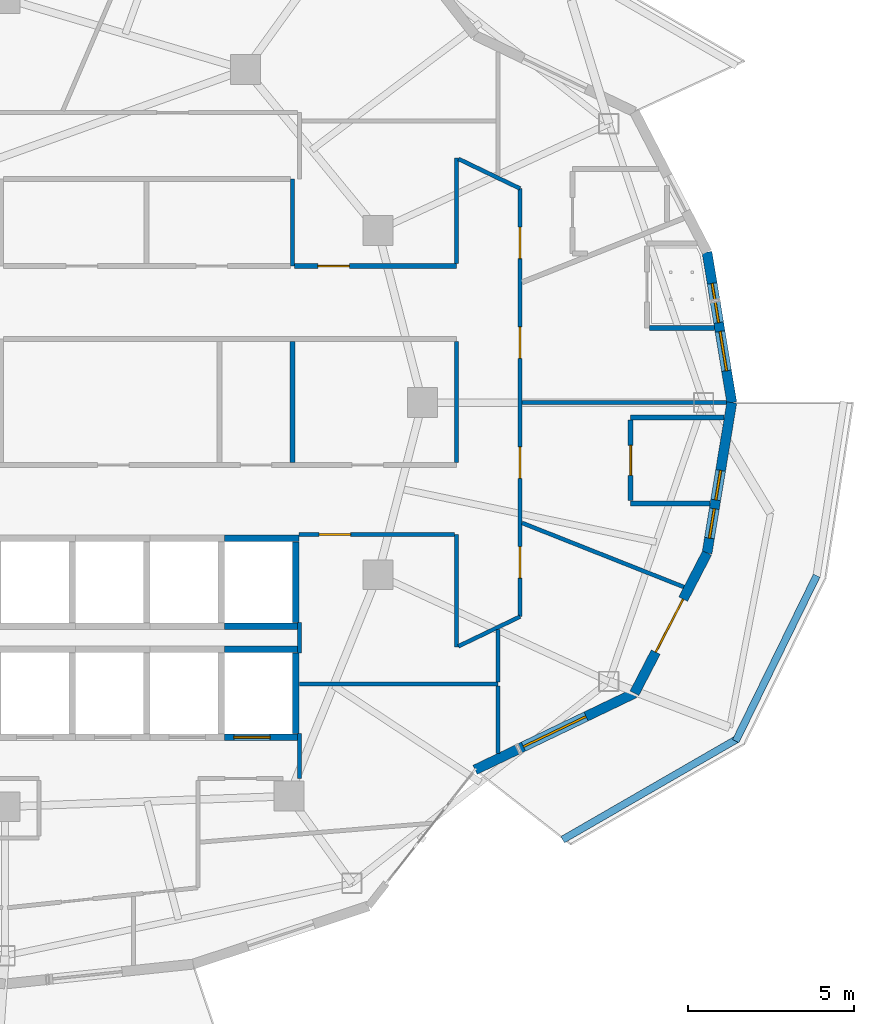
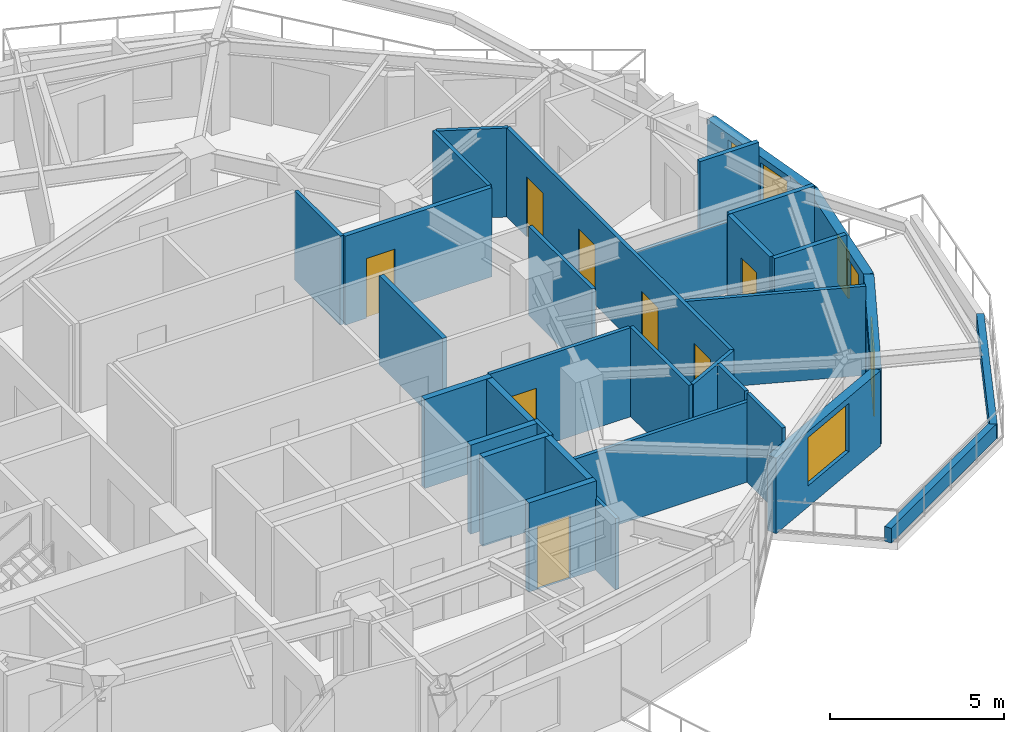
# One storey, part 11 of 19: 33 walls, 9 doors, 5 windows, 14 openings.
"""IFC4 building model written with IfcOpenShell, lengths in metres."""

from ifc_helpers import new_model, si_unit, direction, frame, frame_2d, origin, place, context, subcontext, project, spatial, rectangle, extrude, material, layer, layer_set, type_object, element, fill, save


model = new_model("IFC4")

# Units and contexts
model_context = context("Model", 3, precision=1e-05, world=origin(), true_north=direction((0.0, 1.0)))
body_context = subcontext(model_context, "Body", "Model", "MODEL_VIEW")
ifc_project = project(units=[si_unit("LENGTHUNIT", "METRE"), si_unit("AREAUNIT", "SQUARE_METRE"), si_unit("VOLUMEUNIT", "CUBIC_METRE"), si_unit("PLANEANGLEUNIT", "RADIAN"), si_unit("MASSUNIT", "GRAM", prefix="KILO")], contexts=[model_context])

# Site, building, storey
site_placement = place(None, origin())
site = spatial("IfcSite", under=ifc_project, at=site_placement, CompositionType="ELEMENT")
building_placement = place(site_placement, origin())
building = spatial("IfcBuilding", under=site, at=building_placement, Name="Kolvaren Gate Tower and Convention Centre", CompositionType="ELEMENT")
storey_placement = place(building_placement, frame((0.0, 0.0, 163.10009765625)))
storey = spatial("IfcBuildingStorey", under=building, at=storey_placement, Name="L42", CompositionType="ELEMENT", Elevation=163.10009765625)

# Walls
ifc_material_1 = material(Name="Fire-Rated Acoustic Gypsum Stud Partition", Category="gypsum")
ifc_layer_1 = layer(ifc_material_1, 0.1201171875)
ifc_layer_set_1 = layer_set([ifc_layer_1], Name="Fire-Rated Acoustic Gypsum Stud Partition")
wall_type_1 = type_object("IfcWallType", Name="ARCH-WL-PART-120", PredefinedType="PARTITIONING", material=ifc_layer_set_1)
wall_1_placement = place(storey_placement, frame((38.800048828125, 31.1201171875, 0.0), z_axis=(0.0, 0.0, 1.0), x_axis=(0.0, 1.0, 0.0)))
element("IfcWall", 1, at=wall_1_placement, inside=storey, type_object=wall_type_1, Name="Interior Partition WL-L42-INT-019", PredefinedType="PARTITIONING", context=body_context, shape_type="SweptSolid", body=[
    extrude(rectangle(XDim=2.6298828125, YDim=0.1201171875, at=frame_2d((1.31494140625, 0.0))), origin(), (0.0, 0.0, 1.0), 3.1298828125),
])
wall_2_placement = place(storey_placement, frame((39.02001953125, 15.64990234375, 0.0), z_axis=(0.0, 0.0, 1.0), x_axis=(0.0, 1.0, 0.0)))
element("IfcWall", 2, at=wall_2_placement, inside=storey, type_object=wall_type_1, Name="Interior Partition WL-L42-INT-023", PredefinedType="PARTITIONING", context=body_context, shape_type="SweptSolid", body=[
    extrude(rectangle(XDim=1.360107421875, YDim=0.1201171875, at=frame_2d((0.68017578125, 0.0))), origin(), (0.0, 0.0, 1.0), 2.5048828125),
])
wall_3_placement = place(storey_placement, frame((39.02001953125, 19.43994140625, 0.0), z_axis=(0.0, 0.0, 1.0), x_axis=(0.0, 1.0, 0.0)))
element("IfcWall", 3, at=wall_3_placement, inside=storey, type_object=wall_type_1, Name="Interior Partition WL-L42-INT-023 (2)", PredefinedType="PARTITIONING", context=body_context, shape_type="SweptSolid", body=[
    extrude(rectangle(XDim=0.920166015625, YDim=0.1201171875, at=frame_2d((0.4599609375, 0.0))), origin(), (0.0, 0.0, 1.0), 3.1298828125),
])
wall_4_placement = place(storey_placement, frame((43.75, 19.614990234375, 0.0), z_axis=(0.0, 0.0, 1.0), x_axis=(0.0, 1.0, 0.0)))
element("IfcWall", 4, at=wall_4_placement, inside=storey, type_object=wall_type_1, Name="Interior Partition WL-L42-INT-037", PredefinedType="PARTITIONING", context=body_context, shape_type="SweptSolid", body=[
    extrude(rectangle(XDim=3.405029296875, YDim=0.1201171875, at=frame_2d((1.70263671875, 0.0))), origin(), (0.0, 0.0, 1.0), 3.1298828125),
])
wall_5_placement = place(storey_placement, frame((43.75, 25.197021484375, 0.0), z_axis=(0.0, 0.0, 1.0), x_axis=(0.0, 1.0, 0.0)))
element("IfcWall", 5, at=wall_5_placement, inside=storey, type_object=wall_type_1, Name="Interior Partition WL-L42-INT-038", PredefinedType="PARTITIONING", context=body_context, shape_type="SweptSolid", body=[
    extrude(rectangle(XDim=3.64599609375, YDim=0.1201171875, at=frame_2d((1.822998046875, 0.0))), origin(), (0.0, 0.0, 1.0), 3.1298828125),
])
wall_6_placement = place(storey_placement, frame((43.75, 31.197021484375, 0.0), z_axis=(0.0, 0.0, 1.0), x_axis=(0.0, 1.0, 0.0)))
element("IfcWall", 6, at=wall_6_placement, inside=storey, type_object=wall_type_1, Name="Interior Partition WL-L42-INT-039", PredefinedType="PARTITIONING", context=body_context, shape_type="SweptSolid", body=[
    extrude(rectangle(XDim=3.18798828125, YDim=0.1201171875, at=frame_2d((1.593994140625, 0.0))), origin(), (0.0, 0.0, 1.0), 3.1298828125),
])
wall_7_placement = place(storey_placement, frame((43.81201171875, 34.355224609375, 0.0), z_axis=(0.0, 0.0, 1.0), x_axis=(0.901236415331, -0.433327732417, 0.0)))
element("IfcWall", 7, at=wall_7_placement, inside=storey, type_object=wall_type_1, Name="Interior Partition WL-L42-INT-040", PredefinedType="PARTITIONING", context=body_context, shape_type="SweptSolid", body=[
    extrude(rectangle(XDim=2.0615234375, YDim=0.1201171875, at=frame_2d((1.03076171875, 0.0))), origin(), (0.0, 0.0, 1.0), 3.1298828125),
])

# Wall, openings, doors
wall_8_placement = place(storey_placement, frame((45.669921875, 20.5380859375, 0.0), z_axis=(0.0, 0.0, 1.0), x_axis=(0.0, 1.0, 0.0)))
wall_8 = element("IfcWall", 8, at=wall_8_placement, inside=storey, type_object=wall_type_1, Name="Interior Partition WL-L42-INT-041", PredefinedType="PARTITIONING", context=body_context, shape_type="SweptSolid", body=[
    extrude(rectangle(XDim=12.923828125, YDim=0.1201171875, at=frame_2d((6.4619140625, 0.0))), origin(), (0.0, 0.0, 1.0), 3.1298828125),
])
opening_1_placement = place(wall_8_placement, frame((1.166015625, 0.0, 0.0)))
opening_1 = element("IfcOpeningElement", 9, at=opening_1_placement, cuts=wall_8, Name="Opening DR-01", PredefinedType="OPENING", context=body_context, shape_type="SweptSolid", body=[
    extrude(rectangle(XDim=0.949951171875, YDim=2.10009765625, at=frame_2d((0.47509765625, 1.050048828125))), frame((0.0, 0.070068359375, 0.0), z_axis=(0.0, -1.0, 0.0), x_axis=(1.0, 0.0, 0.0)), (0.0, 0.0, 1.0), 0.14013671875),
])
opening_2_placement = place(wall_8_placement, frame((4.173828125, 0.0, 0.0)))
opening_2 = element("IfcOpeningElement", 10, at=opening_2_placement, cuts=wall_8, Name="Opening DR-01", PredefinedType="OPENING", context=body_context, shape_type="SweptSolid", body=[
    extrude(rectangle(XDim=0.949951171875, YDim=2.10009765625, at=frame_2d((0.47509765625, 1.050048828125))), frame((0.0, 0.070068359375, 0.0), z_axis=(0.0, -1.0, 0.0), x_axis=(1.0, 0.0, 0.0)), (0.0, 0.0, 1.0), 0.14013671875),
])
opening_3_placement = place(wall_8_placement, frame((7.800048828125, 0.0, 0.0)))
opening_3 = element("IfcOpeningElement", 11, at=opening_3_placement, cuts=wall_8, Name="Opening DR-01", PredefinedType="OPENING", context=body_context, shape_type="SweptSolid", body=[
    extrude(rectangle(XDim=0.949951171875, YDim=2.10009765625, at=frame_2d((0.47509765625, 1.050048828125))), frame((0.0, 0.070068359375, 0.0), z_axis=(0.0, -1.0, 0.0), x_axis=(1.0, 0.0, 0.0)), (0.0, 0.0, 1.0), 0.14013671875),
])
opening_4_placement = place(wall_8_placement, frame((10.807861328125, 0.0, 0.0)))
opening_4 = element("IfcOpeningElement", 12, at=opening_4_placement, cuts=wall_8, Name="Opening DR-01", PredefinedType="OPENING", context=body_context, shape_type="SweptSolid", body=[
    extrude(rectangle(XDim=0.949951171875, YDim=2.10009765625, at=frame_2d((0.47509765625, 1.050048828125))), frame((0.0, 0.070068359375, 0.0), z_axis=(0.0, -1.0, 0.0), x_axis=(1.0, 0.0, 0.0)), (0.0, 0.0, 1.0), 0.14013671875),
])
ifc_material_2 = material(Name="Painted Architectural Steelwork ASTM A500 Grade C 345 MPa", Category="steel")
door_type_1 = type_object("IfcDoorType", Name="ARCH-DR-RISER-950", OperationType="SINGLE_SWING_RIGHT", PredefinedType="DOOR", material=ifc_material_2)
door_1_placement = place(opening_1_placement, origin())
door_1 = element("IfcDoor", 13, at=door_1_placement, inside=storey, type_object=door_type_1, Name="Hotel Botanical Clubroom Door", OperationType="SINGLE_SWING_LEFT", OverallHeight=2.10009765625, OverallWidth=0.949951171875, PredefinedType="DOOR", context=body_context, shape_type="SweptSolid", body=[
    extrude(rectangle(XDim=0.949951171875, YDim=2.10009765625, at=frame_2d((0.47509765625, 1.050048828125))), frame((0.0, 0.02490234375, 0.0), z_axis=(0.0, -1.0, 0.0), x_axis=(1.0, 0.0, 0.0)), (0.0, 0.0, 1.0), 0.050048828125),
])
fill(opening_1, door_1)
door_2_placement = place(opening_2_placement, origin())
door_2 = element("IfcDoor", 14, at=door_2_placement, inside=storey, type_object=door_type_1, Name="Deluxe Hotel Suite (HTL-L42-08) Door", OperationType="SINGLE_SWING_RIGHT", OverallHeight=2.10009765625, OverallWidth=0.949951171875, PredefinedType="DOOR", context=body_context, shape_type="SweptSolid", body=[
    extrude(rectangle(XDim=0.949951171875, YDim=2.10009765625, at=frame_2d((0.47509765625, 1.050048828125))), frame((0.0, 0.02490234375, 0.0), z_axis=(0.0, -1.0, 0.0), x_axis=(1.0, 0.0, 0.0)), (0.0, 0.0, 1.0), 0.050048828125),
])
fill(opening_2, door_2)
door_3_placement = place(opening_3_placement, origin())
door_3 = element("IfcDoor", 15, at=door_3_placement, inside=storey, type_object=door_type_1, Name="Deluxe Hotel Suite (HTL-L42-10) Door", OperationType="SINGLE_SWING_RIGHT", OverallHeight=2.10009765625, OverallWidth=0.949951171875, PredefinedType="DOOR", context=body_context, shape_type="SweptSolid", body=[
    extrude(rectangle(XDim=0.949951171875, YDim=2.10009765625, at=frame_2d((0.47509765625, 1.050048828125))), frame((0.0, 0.02490234375, 0.0), z_axis=(0.0, -1.0, 0.0), x_axis=(1.0, 0.0, 0.0)), (0.0, 0.0, 1.0), 0.050048828125),
])
fill(opening_3, door_3)
door_4_placement = place(opening_4_placement, origin())
door_4 = element("IfcDoor", 16, at=door_4_placement, inside=storey, type_object=door_type_1, Name="Deluxe Hotel Suite (HTL-L42-11) Door", OperationType="SINGLE_SWING_LEFT", OverallHeight=2.10009765625, OverallWidth=0.949951171875, PredefinedType="DOOR", context=body_context, shape_type="SweptSolid", body=[
    extrude(rectangle(XDim=0.949951171875, YDim=2.10009765625, at=frame_2d((0.47509765625, 1.050048828125))), frame((0.0, 0.02490234375, 0.0), z_axis=(0.0, -1.0, 0.0), x_axis=(1.0, 0.0, 0.0)), (0.0, 0.0, 1.0), 0.050048828125),
])
fill(opening_4, door_4)

# Wall
wall_9_placement = place(storey_placement, frame((43.81201171875, 19.644775390625, 0.0), z_axis=(0.0, 0.0, 1.0), x_axis=(0.901236415331, 0.433327732417, 0.0)))
element("IfcWall", 17, at=wall_9_placement, inside=storey, type_object=wall_type_1, Name="Interior Partition WL-L42-INT-042", PredefinedType="PARTITIONING", context=body_context, shape_type="SweptSolid", body=[
    extrude(rectangle(XDim=2.0615234375, YDim=0.1201171875, at=frame_2d((1.03076171875, 0.0))), origin(), (0.0, 0.0, 1.0), 3.1298828125),
])

# Wall, opening, door
wall_10_placement = place(storey_placement, frame((39.0, 23.02001953125, 0.0), z_axis=(0.0, 0.0, 1.0), x_axis=(1.0, 0.0, 0.0)))
wall_10 = element("IfcWall", 18, at=wall_10_placement, inside=storey, type_object=wall_type_1, Name="Interior Partition WL-L42-INT-043", PredefinedType="PARTITIONING", context=body_context, shape_type="SweptSolid", body=[
    extrude(rectangle(XDim=4.68798828125, YDim=0.1201171875, at=frame_2d((2.343994140625, 0.0))), origin(), (0.0, 0.0, 1.0), 3.1298828125),
])
opening_5_placement = place(wall_10_placement, frame((0.60888671875, 0.0, 0.0)))
opening_5 = element("IfcOpeningElement", 19, at=opening_5_placement, cuts=wall_10, Name="Opening DR-01", PredefinedType="OPENING", context=body_context, shape_type="SweptSolid", body=[
    extrude(rectangle(XDim=0.949951171875, YDim=2.10009765625, at=frame_2d((0.47509765625, 1.050048828125))), frame((0.0, 0.070068359375, 0.0), z_axis=(0.0, -1.0, 0.0), x_axis=(1.0, 0.0, 0.0)), (0.0, 0.0, 1.0), 0.14013671875),
])
door_5_placement = place(opening_5_placement, origin())
door_5 = element("IfcDoor", 20, at=door_5_placement, inside=storey, type_object=door_type_1, Name="Luxury Retail Boutique Door", OperationType="SINGLE_SWING_RIGHT", OverallHeight=2.10009765625, OverallWidth=0.949951171875, PredefinedType="DOOR", context=body_context, shape_type="SweptSolid", body=[
    extrude(rectangle(XDim=0.949951171875, YDim=2.10009765625, at=frame_2d((0.47509765625, 1.050048828125))), frame((0.0, 0.02490234375, 0.0), z_axis=(0.0, -1.0, 0.0), x_axis=(1.0, 0.0, 0.0)), (0.0, 0.0, 1.0), 0.050048828125),
])
fill(opening_5, door_5)

# Walls
wall_11_placement = place(storey_placement, frame((45.73193359375, 27.0, 0.0), z_axis=(0.0, 0.0, 1.0), x_axis=(1.0, 0.0, 0.0)))
element("IfcWall", 21, at=wall_11_placement, inside=storey, type_object=wall_type_1, Name="Interior Partition WL-L42-INT-049", PredefinedType="PARTITIONING", context=body_context, shape_type="SweptSolid", body=[
    extrude(rectangle(XDim=6.176513671875, YDim=0.1201171875, at=frame_2d((3.08837890625, 0.0))), origin(), (0.0, 0.0, 1.0), 2.5048828125),
])
wall_12_placement = place(storey_placement, frame((39.02001953125, 18.5, 0.0), z_axis=(0.0, 0.0, 1.0), x_axis=(1.0, 0.0, 0.0)))
element("IfcWall", 22, at=wall_12_placement, inside=storey, type_object=wall_type_1, Name="Interior Partition WL-L42-INT-055", PredefinedType="PARTITIONING", context=body_context, shape_type="SweptSolid", body=[
    extrude(rectangle(XDim=5.97998046875, YDim=0.1201171875, at=frame_2d((2.989990234375, 0.0))), origin(), (0.0, 0.0, 1.0), 2.81201171875),
])
wall_13_placement = place(storey_placement, frame((45.0, 16.41259765625, 0.0), z_axis=(0.0, 0.0, 1.0), x_axis=(0.0, 1.0, 0.0)))
element("IfcWall", 23, at=wall_13_placement, inside=storey, type_object=wall_type_1, Name="Interior Partition WL-L42-INT-056", PredefinedType="PARTITIONING", context=body_context, shape_type="SweptSolid", body=[
    extrude(rectangle(XDim=2.025390625, YDim=0.1201171875, at=frame_2d((1.0126953125, 0.0))), origin(), (0.0, 0.0, 1.0), 3.1298828125),
])
wall_14_placement = place(storey_placement, frame((45.0, 18.56201171875, 0.0), z_axis=(0.0, 0.0, 1.0), x_axis=(0.0, 1.0, 0.0)))
element("IfcWall", 24, at=wall_14_placement, inside=storey, type_object=wall_type_1, Name="Interior Partition WL-L42-INT-056 (2)", PredefinedType="PARTITIONING", context=body_context, shape_type="SweptSolid", body=[
    extrude(rectangle(XDim=1.585205078125, YDim=0.1201171875, at=frame_2d((0.79248046875, 0.0))), origin(), (0.0, 0.0, 1.0), 3.1298828125),
])
wall_15_placement = place(storey_placement, frame((45.73193359375, 23.367431640625, 0.0), z_axis=(0.0, 0.0, 1.0), x_axis=(0.929706134606, -0.368302190158, 0.0)))
element("IfcWall", 25, at=wall_15_placement, inside=storey, type_object=wall_type_1, Name="Interior Partition WL-L42-INT-058", PredefinedType="PARTITIONING", context=body_context, shape_type="SweptSolid", body=[
    extrude(rectangle(XDim=5.250732421875, YDim=0.1201171875, at=frame_2d((2.62548828125, 0.0))), origin(), (0.0, 0.0, 1.0), 3.1298828125),
])
ifc_material_3 = material(Name="Piedmont Cream Honed Limestone Cladding", Category="masonry")
ifc_layer_2 = layer(ifc_material_3, 0.219970703125)
ifc_layer_set_2 = layer_set([ifc_layer_2], Name="Piedmont Cream Honed Limestone Cladding")
wall_type_2 = type_object("IfcWallType", Name="ARCH-WL-PLANTER-220", PredefinedType="PARAPET", material=ifc_layer_set_2)
wall_16_placement = place(storey_placement, frame((46.95751953125, 13.8046875, 0.0), z_axis=(0.0, 0.0, 1.0), x_axis=(0.866058128659, 0.499943314571, 0.0)))
element("IfcWall", 26, at=wall_16_placement, inside=storey, type_object=wall_type_2, Name="Vertical-Forest Balcony Stone Planter Kerb PK-L42-4.1", PredefinedType="PARAPET", context=body_context, shape_type="SweptSolid", body=[
    extrude(rectangle(XDim=6.060302734375, YDim=0.219970703125, at=frame_2d((3.0302734375, 0.0))), origin(), (0.0, 0.0, 1.0), 0.52001953125),
])
wall_17_placement = place(storey_placement, frame((52.180419921875, 16.778564453125, 0.0), z_axis=(0.0, 0.0, 1.0), x_axis=(0.439637174641, 0.898175458735, 0.0)))
element("IfcWall", 27, at=wall_17_placement, inside=storey, type_object=wall_type_2, Name="Vertical-Forest Balcony Stone Planter Kerb PK-L42-4.2", PredefinedType="PARAPET", context=body_context, shape_type="SweptSolid", body=[
    extrude(rectangle(XDim=5.567138671875, YDim=0.219970703125, at=frame_2d((2.78369140625, 0.0))), origin(), (0.0, 0.0, 1.0), 0.52001953125),
])
ifc_material_4 = material(Name="Autoclaved Aerated Masonry Blockwork Class 4 (4.0 MPa)", Category="masonry")
ifc_layer_3 = layer(ifc_material_4, 0.199951171875)
ifc_layer_set_3 = layer_set([ifc_layer_3], Name="Autoclaved Aerated Masonry Blockwork Class 4 (4.0 MPa)")
wall_type_3 = type_object("IfcWallType", Name="ARCH-WL-SHAFT-200", PredefinedType="SOLIDWALL", material=ifc_layer_set_3)
wall_18_placement = place(storey_placement, frame((36.75, 19.550048828125, 0.0), z_axis=(0.0, 0.0, 1.0), x_axis=(1.0, 0.0, 0.0)))
element("IfcWall", 28, at=wall_18_placement, inside=storey, type_object=wall_type_3, Name="Elevator PL-08 L42 Fire Shaft Wall N", PredefinedType="SOLIDWALL", context=body_context, shape_type="SweptSolid", body=[
    extrude(rectangle(XDim=2.25, YDim=0.199951171875, at=frame_2d((1.125, 0.0))), origin(), (0.0, 0.0, 1.0), 3.1298828125),
])

# Wall, opening, door
wall_19_placement = place(storey_placement, frame((36.75, 16.89990234375, 0.0), z_axis=(0.0, 0.0, 1.0), x_axis=(1.0, 0.0, 0.0)))
wall_19 = element("IfcWall", 29, at=wall_19_placement, inside=storey, type_object=wall_type_3, Name="Elevator PL-08 L42 Fire Shaft Wall S", PredefinedType="SOLIDWALL", context=body_context, shape_type="SweptSolid", body=[
    extrude(rectangle(XDim=2.25, YDim=0.199951171875, at=frame_2d((1.125, 0.0))), origin(), (0.0, 0.0, 1.0), 3.1298828125),
])
opening_6_placement = place(wall_19_placement, frame((0.280029296875, 0.0, 0.0)))
opening_6 = element("IfcOpeningElement", 30, at=opening_6_placement, cuts=wall_19, Name="Opening LD", PredefinedType="OPENING", context=body_context, shape_type="SweptSolid", body=[
    extrude(rectangle(XDim=1.10009765625, YDim=2.199951171875, at=frame_2d((0.550048828125, 1.10009765625))), frame((0.0, 0.10986328125, 0.0), z_axis=(0.0, -1.0, 0.0), x_axis=(1.0, 0.0, 0.0)), (0.0, 0.0, 1.0), 0.219970703125),
])
ifc_material_5 = material(Name="Brushed Stainless Steel Grade 316L", Category="steel")
door_type_2 = type_object("IfcDoorType", Name="ARCH-DR-LIFT-1100", OperationType="SLIDING_TO_LEFT", PredefinedType="DOOR", material=ifc_material_5)
door_6_placement = place(opening_6_placement, origin())
door_6 = element("IfcDoor", 31, at=door_6_placement, inside=storey, type_object=door_type_2, Name="Elevator PL-08 L42 Sliding Landing Door", OperationType="SLIDING_TO_LEFT", OverallHeight=2.199951171875, OverallWidth=1.10009765625, PredefinedType="DOOR", context=body_context, shape_type="SweptSolid", body=[
    extrude(rectangle(XDim=1.10009765625, YDim=2.199951171875, at=frame_2d((0.550048828125, 1.10009765625))), frame((0.0, 0.02490234375, 0.0), z_axis=(0.0, -1.0, 0.0), x_axis=(1.0, 0.0, 0.0)), (0.0, 0.0, 1.0), 0.050048828125),
])
fill(opening_6, door_6)

# Walls
wall_20_placement = place(storey_placement, frame((38.89990234375, 17.010009765625, 0.0), z_axis=(0.0, 0.0, 1.0), x_axis=(0.0, 1.0, 0.0)))
element("IfcWall", 32, at=wall_20_placement, inside=storey, type_object=wall_type_3, Name="Elevator PL-08 L42 Fire Shaft Wall E", PredefinedType="SOLIDWALL", context=body_context, shape_type="SweptSolid", body=[
    extrude(rectangle(XDim=2.429931640625, YDim=0.199951171875, at=frame_2d((1.21484375, 0.0))), origin(), (0.0, 0.0, 1.0), 3.1298828125),
])
for number, where, z_axis, x_axis, name in (
    (33, (36.75, 22.89990234375, 0.0), (0.0, 0.0, 1.0), (1.0, 0.0, 0.0), "Elevator PL-12 L42 Fire Shaft Wall N"),
    (34, (36.75, 20.25, 0.0), (0.0, 0.0, 1.0), (1.0, 0.0, 0.0), "Elevator PL-12 L42 Fire Shaft Wall S"),
):
    element("IfcWall", number, at=place(storey_placement, frame(where, z_axis=z_axis, x_axis=x_axis)), inside=storey, type_object=wall_type_3, Name=name, PredefinedType="SOLIDWALL", context=body_context, shape_type="SweptSolid", body=[
        extrude(rectangle(XDim=2.25, YDim=0.199951171875, at=frame_2d((1.125, 0.0))), origin(), (0.0, 0.0, 1.0), 3.1298828125),
    ])
wall_21_placement = place(storey_placement, frame((38.89990234375, 20.360107421875, 0.0), z_axis=(0.0, 0.0, 1.0), x_axis=(0.0, 1.0, 0.0)))
element("IfcWall", 35, at=wall_21_placement, inside=storey, type_object=wall_type_3, Name="Elevator PL-12 L42 Fire Shaft Wall E", PredefinedType="SOLIDWALL", context=body_context, shape_type="SweptSolid", body=[
    extrude(rectangle(XDim=2.429931640625, YDim=0.199951171875, at=frame_2d((1.21484375, 0.0))), origin(), (0.0, 0.0, 1.0), 3.1298828125),
])

# Wall, openings, windows
ifc_layer_4 = layer(ifc_material_3, 0.300048828125)
ifc_layer_set_4 = layer_set([ifc_layer_4], Name="Piedmont Cream Honed Limestone Cladding")
wall_type_4 = type_object("IfcWallType", Name="ARCH-WL-STONE-300", PredefinedType="SOLIDWALL", material=ifc_layer_set_4)
wall_22_placement = place(storey_placement, frame((51.31494140625, 31.542236328125, 0.0), z_axis=(0.0, 0.0, 1.0), x_axis=(0.162394765401, -0.986725868806, 0.0)))
wall_22 = element("IfcWall", 36, at=wall_22_placement, inside=storey, type_object=wall_type_4, Name="Tower L42 Honed Stone Spandrel Wall EW-00", PredefinedType="SOLIDWALL", context=body_context, shape_type="SweptSolid", body=[
    extrude(rectangle(XDim=4.603271484375, YDim=0.300048828125, at=frame_2d((2.3017578125, 0.0))), origin(), (0.0, 0.0, 1.0), 2.65283203125),
])
opening_7_placement = place(wall_22_placement, frame((0.957763671875, 0.0, 0.739990234375)))
opening_7 = element("IfcOpeningElement", 37, at=opening_7_placement, cuts=wall_22, Name="Opening W-04", PredefinedType="OPENING", context=body_context, shape_type="SweptSolid", body=[
    extrude(rectangle(XDim=1.199951171875, YDim=1.699951171875, at=frame_2d((0.60009765625, 0.85009765625))), frame((0.0, 0.159912109375, 0.0), z_axis=(0.0, -1.0, 0.0), x_axis=(1.0, 0.0, 0.0)), (0.0, 0.0, 1.0), 0.320068359375),
])
opening_8_placement = place(wall_22_placement, frame((2.427978515625, 0.0, 0.739990234375)))
opening_8 = element("IfcOpeningElement", 38, at=opening_8_placement, cuts=wall_22, Name="Opening W-04", PredefinedType="OPENING", context=body_context, shape_type="SweptSolid", body=[
    extrude(rectangle(XDim=1.199951171875, YDim=1.699951171875, at=frame_2d((0.60009765625, 0.85009765625))), frame((0.0, 0.159912109375, 0.0), z_axis=(0.0, -1.0, 0.0), x_axis=(1.0, 0.0, 0.0)), (0.0, 0.0, 1.0), 0.320068359375),
])
ifc_material_6 = material(Name="Low-E Triple Insulated Glazing Unit 44 mm", Category="glass")
window_type_1 = type_object("IfcWindowType", Name="ARCH-WN-NARROW-1200", PartitioningType="SINGLE_PANEL", PredefinedType="WINDOW", material=ifc_material_6)
window_1_placement = place(opening_7_placement, origin())
window_1 = element("IfcWindow", 39, at=window_1_placement, inside=storey, type_object=window_type_1, Name="Tower L42 Punched Stone Facade Window W-00", OverallHeight=1.699951171875, OverallWidth=1.199951171875, PartitioningType="SINGLE_PANEL", PredefinedType="WINDOW", context=body_context, shape_type="SweptSolid", body=[
    extrude(rectangle(XDim=1.199951171875, YDim=1.699951171875, at=frame_2d((0.60009765625, 0.85009765625))), frame((0.0, 0.030029296875, 0.0), z_axis=(0.0, -1.0, 0.0), x_axis=(1.0, 0.0, 0.0)), (0.0, 0.0, 1.0), 0.06005859375),
])
fill(opening_7, window_1)
window_2_placement = place(opening_8_placement, origin())
window_2 = element("IfcWindow", 40, at=window_2_placement, inside=storey, type_object=window_type_1, Name="Tower L42 Punched Stone Facade Window W-00B", OverallHeight=1.699951171875, OverallWidth=1.199951171875, PartitioningType="SINGLE_PANEL", PredefinedType="WINDOW", context=body_context, shape_type="SweptSolid", body=[
    extrude(rectangle(XDim=1.199951171875, YDim=1.699951171875, at=frame_2d((0.60009765625, 0.85009765625))), frame((0.0, 0.030029296875, 0.0), z_axis=(0.0, -1.0, 0.0), x_axis=(1.0, 0.0, 0.0)), (0.0, 0.0, 1.0), 0.06005859375),
])
fill(opening_8, window_2)

# Wall, opening, window
wall_23_placement = place(storey_placement, frame((44.3134765625, 15.9140625, 0.0), z_axis=(0.0, 0.0, 1.0), x_axis=(0.901353070301, 0.433085029363, 0.0)))
wall_23 = element("IfcWall", 41, at=wall_23_placement, inside=storey, type_object=wall_type_4, Name="Tower L42 Honed Stone Spandrel Wall EW-21", PredefinedType="SOLIDWALL", context=body_context, shape_type="SweptSolid", body=[
    extrude(rectangle(XDim=5.336181640625, YDim=0.300048828125, at=frame_2d((2.66796875, 0.0))), origin(), (0.0, 0.0, 1.0), 2.65283203125),
])
opening_9_placement = place(wall_23_placement, frame((1.617919921875, 0.0, 0.739990234375)))
opening_9 = element("IfcOpeningElement", 42, at=opening_9_placement, cuts=wall_23, Name="Opening W-02", PredefinedType="OPENING", context=body_context, shape_type="SweptSolid", body=[
    extrude(rectangle(XDim=2.10009765625, YDim=1.699951171875, at=frame_2d((1.050048828125, 0.85009765625))), frame((0.0, 0.159912109375, 0.0), z_axis=(0.0, -1.0, 0.0), x_axis=(1.0, 0.0, 0.0)), (0.0, 0.0, 1.0), 0.320068359375),
])
window_type_2 = type_object("IfcWindowType", Name="ARCH-WN-HTL-2100", PartitioningType="SINGLE_PANEL", PredefinedType="WINDOW", material=ifc_material_6)
window_3_placement = place(opening_9_placement, origin())
window_3 = element("IfcWindow", 43, at=window_3_placement, inside=storey, type_object=window_type_2, Name="Tower L42 Punched Stone Facade Window W-21", OverallHeight=1.699951171875, OverallWidth=2.10009765625, PartitioningType="SINGLE_PANEL", PredefinedType="WINDOW", context=body_context, shape_type="SweptSolid", body=[
    extrude(rectangle(XDim=2.10009765625, YDim=1.699951171875, at=frame_2d((1.050048828125, 0.85009765625))), frame((0.0, 0.030029296875, 0.0), z_axis=(0.0, -1.0, 0.0), x_axis=(1.0, 0.0, 0.0)), (0.0, 0.0, 1.0), 0.06005859375),
])
fill(opening_9, window_3)

# Wall, opening, door
wall_24_placement = place(storey_placement, frame((49.123291015625, 18.22509765625, 0.0), z_axis=(0.0, 0.0, 1.0), x_axis=(0.459810251451, 0.888017191647, 0.0)))
wall_24 = element("IfcWall", 44, at=wall_24_placement, inside=storey, type_object=wall_type_4, Name="Tower L42 Honed Stone Spandrel Wall EW-22", PredefinedType="SOLIDWALL", context=body_context, shape_type="SweptSolid", body=[
    extrude(rectangle(XDim=4.766357421875, YDim=0.300048828125, at=frame_2d((2.38330078125, 0.0))), origin(), (0.0, 0.0, 1.0), 2.65283203125),
])
opening_10_placement = place(wall_24_placement, frame((1.39990234375, 0.0, 0.0)))
opening_10 = element("IfcOpeningElement", 45, at=opening_10_placement, cuts=wall_24, Name="Opening DB-01", PredefinedType="OPENING", context=body_context, shape_type="SweptSolid", body=[
    extrude(rectangle(XDim=1.800048828125, YDim=2.25, at=frame_2d((0.89990234375, 1.125))), frame((0.0, 0.159912109375, 0.0), z_axis=(0.0, -1.0, 0.0), x_axis=(1.0, 0.0, 0.0)), (0.0, 0.0, 1.0), 0.320068359375),
])
ifc_material_7 = material(Name="Anodized Architectural Aluminium Alloy 6063-T6", Category="aluminium")
door_type_3 = type_object("IfcDoorType", Name="ARCH-DR-BALC-1800", OperationType="SLIDING_TO_LEFT", PredefinedType="DOOR", material=ifc_material_7)
door_7_placement = place(opening_10_placement, frame((1.800048828125, 0.0, 0.0), z_axis=(0.0, 0.0, 1.0), x_axis=(-1.0, 0.0, 0.0)))
door_7 = element("IfcDoor", 46, at=door_7_placement, inside=storey, type_object=door_type_3, Name="Planted Sky Terrace Access Door DB-L42-22", OperationType="SLIDING_TO_LEFT", OverallHeight=2.25, OverallWidth=1.800048828125, PredefinedType="DOOR", context=body_context, shape_type="SweptSolid", body=[
    extrude(rectangle(XDim=1.800048828125, YDim=2.25, at=frame_2d((0.89990234375, 1.125))), frame((0.0, 0.02490234375, 0.0), z_axis=(0.0, -1.0, 0.0), x_axis=(1.0, 0.0, 0.0)), (0.0, 0.0, 1.0), 0.050048828125),
])
fill(opening_10, door_7)

# Wall, openings, windows
wall_25_placement = place(storey_placement, frame((51.31494140625, 22.457763671875, 0.0), z_axis=(0.0, 0.0, 1.0), x_axis=(0.162394765401, 0.986725868806, 0.0)))
wall_25 = element("IfcWall", 47, at=wall_25_placement, inside=storey, type_object=wall_type_4, Name="Tower L42 Honed Stone Spandrel Wall EW-23", PredefinedType="SOLIDWALL", context=body_context, shape_type="SweptSolid", body=[
    extrude(rectangle(XDim=4.603271484375, YDim=0.300048828125, at=frame_2d((2.3017578125, 0.0))), origin(), (0.0, 0.0, 1.0), 2.65283203125),
])
opening_11_placement = place(wall_25_placement, frame((0.45703125, 0.0, 0.719970703125)))
opening_11 = element("IfcOpeningElement", 48, at=opening_11_placement, cuts=wall_25, Name="Opening W-06", PredefinedType="OPENING", context=body_context, shape_type="SweptSolid", body=[
    extrude(rectangle(XDim=0.89990234375, YDim=1.64990234375, at=frame_2d((0.449951171875, 0.824951171875))), frame((0.0, 0.159912109375, 0.0), z_axis=(0.0, -1.0, 0.0), x_axis=(1.0, 0.0, 0.0)), (0.0, 0.0, 1.0), 0.320068359375),
])
opening_12_placement = place(wall_25_placement, frame((1.62744140625, 0.0, 0.719970703125)))
opening_12 = element("IfcOpeningElement", 49, at=opening_12_placement, cuts=wall_25, Name="Opening W-06", PredefinedType="OPENING", context=body_context, shape_type="SweptSolid", body=[
    extrude(rectangle(XDim=0.89990234375, YDim=1.64990234375, at=frame_2d((0.449951171875, 0.824951171875))), frame((0.0, 0.159912109375, 0.0), z_axis=(0.0, -1.0, 0.0), x_axis=(1.0, 0.0, 0.0)), (0.0, 0.0, 1.0), 0.320068359375),
])
window_type_3 = type_object("IfcWindowType", Name="ARCH-WN-PUNCH-900", PartitioningType="SINGLE_PANEL", PredefinedType="WINDOW", material=ifc_material_6)
window_4_placement = place(opening_11_placement, origin())
window_4 = element("IfcWindow", 50, at=window_4_placement, inside=storey, type_object=window_type_3, Name="Tower L42 Punched Stone Facade Window W-23", OverallHeight=1.64990234375, OverallWidth=0.89990234375, PartitioningType="SINGLE_PANEL", PredefinedType="WINDOW", context=body_context, shape_type="SweptSolid", body=[
    extrude(rectangle(XDim=0.89990234375, YDim=1.64990234375, at=frame_2d((0.449951171875, 0.824951171875))), frame((0.0, 0.030029296875, 0.0), z_axis=(0.0, -1.0, 0.0), x_axis=(1.0, 0.0, 0.0)), (0.0, 0.0, 1.0), 0.06005859375),
])
fill(opening_11, window_4)
window_5_placement = place(opening_12_placement, origin())
window_5 = element("IfcWindow", 51, at=window_5_placement, inside=storey, type_object=window_type_3, Name="Tower L42 Punched Stone Facade Window W-23B", OverallHeight=1.64990234375, OverallWidth=0.89990234375, PartitioningType="SINGLE_PANEL", PredefinedType="WINDOW", context=body_context, shape_type="SweptSolid", body=[
    extrude(rectangle(XDim=0.89990234375, YDim=1.64990234375, at=frame_2d((0.449951171875, 0.824951171875))), frame((0.0, 0.030029296875, 0.0), z_axis=(0.0, -1.0, 0.0), x_axis=(1.0, 0.0, 0.0)), (0.0, 0.0, 1.0), 0.06005859375),
])
fill(opening_12, window_5)

# Walls
ifc_material_8 = material(Name="Moisture-Resistant Cement-Board Acoustic Partition", Category="gypsum")
ifc_layer_5 = layer(ifc_material_8, 0.14990234375)
ifc_layer_set_5 = layer_set([ifc_layer_5], Name="Moisture-Resistant Cement-Board Acoustic Partition")
wall_type_5 = type_object("IfcWallType", Name="ARCH-WL-WET-150", PredefinedType="PARTITIONING", material=ifc_layer_set_5)
wall_26_placement = place(storey_placement, frame((49.010986328125, 23.9599609375, 0.0), z_axis=(0.0, 0.0, 1.0), x_axis=(1.0, 0.0, 0.0)))
element("IfcWall", 52, at=wall_26_placement, inside=storey, type_object=wall_type_5, Name="Interior Partition WL-L42-INT-005", PredefinedType="PARTITIONING", context=body_context, shape_type="SweptSolid", body=[
    extrude(rectangle(XDim=2.397216796875, YDim=0.14990234375, at=frame_2d((1.19873046875, 0.0))), origin(), (0.0, 0.0, 1.0), 3.1298828125),
])
wall_27_placement = place(storey_placement, frame((38.800048828125, 25.197021484375, 0.0), z_axis=(0.0, 0.0, 1.0), x_axis=(0.0, 1.0, 0.0)))
element("IfcWall", 53, at=wall_27_placement, inside=storey, type_object=wall_type_5, Name="Interior Partition WL-L42-INT-018", PredefinedType="PARTITIONING", context=body_context, shape_type="SweptSolid", body=[
    extrude(rectangle(XDim=3.64599609375, YDim=0.14990234375, at=frame_2d((1.822998046875, 0.0))), origin(), (0.0, 0.0, 1.0), 3.1298828125),
])

# Wall, opening, door
wall_28_placement = place(storey_placement, frame((38.862060546875, 31.1201171875, 0.0), z_axis=(0.0, 0.0, 1.0), x_axis=(1.0, 0.0, 0.0)))
wall_28 = element("IfcWall", 54, at=wall_28_placement, inside=storey, type_object=wall_type_5, Name="Interior Partition WL-L42-INT-020 (2)", PredefinedType="PARTITIONING", context=body_context, shape_type="SweptSolid", body=[
    extrude(rectangle(XDim=4.887939453125, YDim=0.14990234375, at=frame_2d((2.44384765625, 0.0))), origin(), (0.0, 0.0, 1.0), 3.1298828125),
])
opening_13_placement = place(wall_28_placement, frame((0.708984375, 0.0, 0.0)))
opening_13 = element("IfcOpeningElement", 55, at=opening_13_placement, cuts=wall_28, Name="Opening DR-01", PredefinedType="OPENING", context=body_context, shape_type="SweptSolid", body=[
    extrude(rectangle(XDim=0.949951171875, YDim=2.10009765625, at=frame_2d((0.47509765625, 1.050048828125))), frame((0.0, 0.0849609375, 0.0), z_axis=(0.0, -1.0, 0.0), x_axis=(1.0, 0.0, 0.0)), (0.0, 0.0, 1.0), 0.169921875),
])
door_8_placement = place(opening_13_placement, origin())
door_8 = element("IfcDoor", 56, at=door_8_placement, inside=storey, type_object=door_type_1, Name="Hotel Botanical Clubroom Door", OperationType="SINGLE_SWING_RIGHT", OverallHeight=2.10009765625, OverallWidth=0.949951171875, PredefinedType="DOOR", context=body_context, shape_type="SweptSolid", body=[
    extrude(rectangle(XDim=0.949951171875, YDim=2.10009765625, at=frame_2d((0.47509765625, 1.050048828125))), frame((0.0, 0.02490234375, 0.0), z_axis=(0.0, -1.0, 0.0), x_axis=(1.0, 0.0, 0.0)), (0.0, 0.0, 1.0), 0.050048828125),
])
fill(opening_13, door_8)

# Wall
wall_29_placement = place(storey_placement, frame((49.010986328125, 26.550048828125, 0.0), z_axis=(0.0, 0.0, 1.0), x_axis=(1.0, 0.0, 0.0)))
element("IfcWall", 57, at=wall_29_placement, inside=storey, type_object=wall_type_5, Name="Interior Partition WL-L42-INT-059", PredefinedType="PARTITIONING", context=body_context, shape_type="SweptSolid", body=[
    extrude(rectangle(XDim=2.823486328125, YDim=0.14990234375, at=frame_2d((1.41162109375, 0.0))), origin(), (0.0, 0.0, 1.0), 3.1298828125),
])

# Wall, opening, door
wall_30_placement = place(storey_placement, frame((49.010986328125, 24.037109375, 0.0), z_axis=(0.0, 0.0, 1.0), x_axis=(0.0, 1.0, 0.0)))
wall_30 = element("IfcWall", 58, at=wall_30_placement, inside=storey, type_object=wall_type_5, Name="Interior Partition WL-L42-INT-060", PredefinedType="PARTITIONING", context=body_context, shape_type="SweptSolid", body=[
    extrude(rectangle(XDim=2.435791015625, YDim=0.14990234375, at=frame_2d((1.2177734375, 0.0))), origin(), (0.0, 0.0, 1.0), 3.1298828125),
])
opening_14_placement = place(wall_30_placement, frame((0.76806640625, 0.0, 0.0)))
opening_14 = element("IfcOpeningElement", 59, at=opening_14_placement, cuts=wall_30, Name="Opening DW-01", PredefinedType="OPENING", context=body_context, shape_type="SweptSolid", body=[
    extrude(rectangle(XDim=0.89990234375, YDim=2.10009765625, at=frame_2d((0.449951171875, 1.050048828125))), frame((0.0, 0.0849609375, 0.0), z_axis=(0.0, -1.0, 0.0), x_axis=(1.0, 0.0, 0.0)), (0.0, 0.0, 1.0), 0.169921875),
])
ifc_material_9 = material(Name="FSC Andean Oak Engineered Veneer Door Leaf", Category="wood")
door_type_4 = type_object("IfcDoorType", Name="ARCH-DR-WC-900", OperationType="SINGLE_SWING_RIGHT", PredefinedType="DOOR", material=ifc_material_9)
door_9_placement = place(opening_14_placement, origin())
door_9 = element("IfcDoor", 60, at=door_9_placement, inside=storey, type_object=door_type_4, Name="En-suite Bathroom (HTL-L42-08) Door", OperationType="SINGLE_SWING_LEFT", OverallHeight=2.10009765625, OverallWidth=0.89990234375, PredefinedType="DOOR", context=body_context, shape_type="SweptSolid", body=[
    extrude(rectangle(XDim=0.89990234375, YDim=2.10009765625, at=frame_2d((0.449951171875, 1.050048828125))), frame((0.0, 0.02490234375, 0.0), z_axis=(0.0, -1.0, 0.0), x_axis=(1.0, 0.0, 0.0)), (0.0, 0.0, 1.0), 0.050048828125),
])
fill(opening_14, door_9)

# Wall
wall_31_placement = place(storey_placement, frame((49.576904296875, 29.25, 0.0), z_axis=(0.0, 0.0, 1.0), x_axis=(1.0, 0.0, 0.0)))
element("IfcWall", 61, at=wall_31_placement, inside=storey, type_object=wall_type_5, Name="Interior Partition WL-L42-INT-063", PredefinedType="PARTITIONING", context=body_context, shape_type="SweptSolid", body=[
    extrude(rectangle(XDim=1.961181640625, YDim=0.14990234375, at=frame_2d((0.98046875, 0.0))), origin(), (0.0, 0.0, 1.0), 3.1298828125),
])

save(model, "model.ifc")
